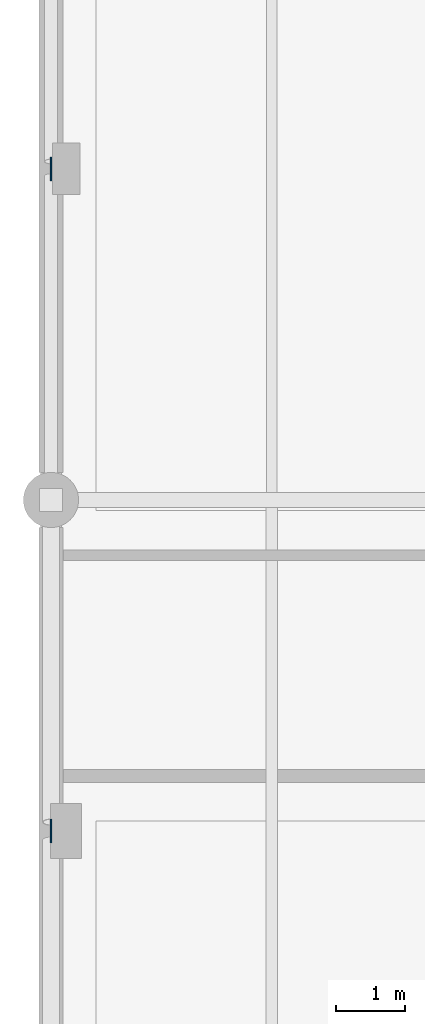
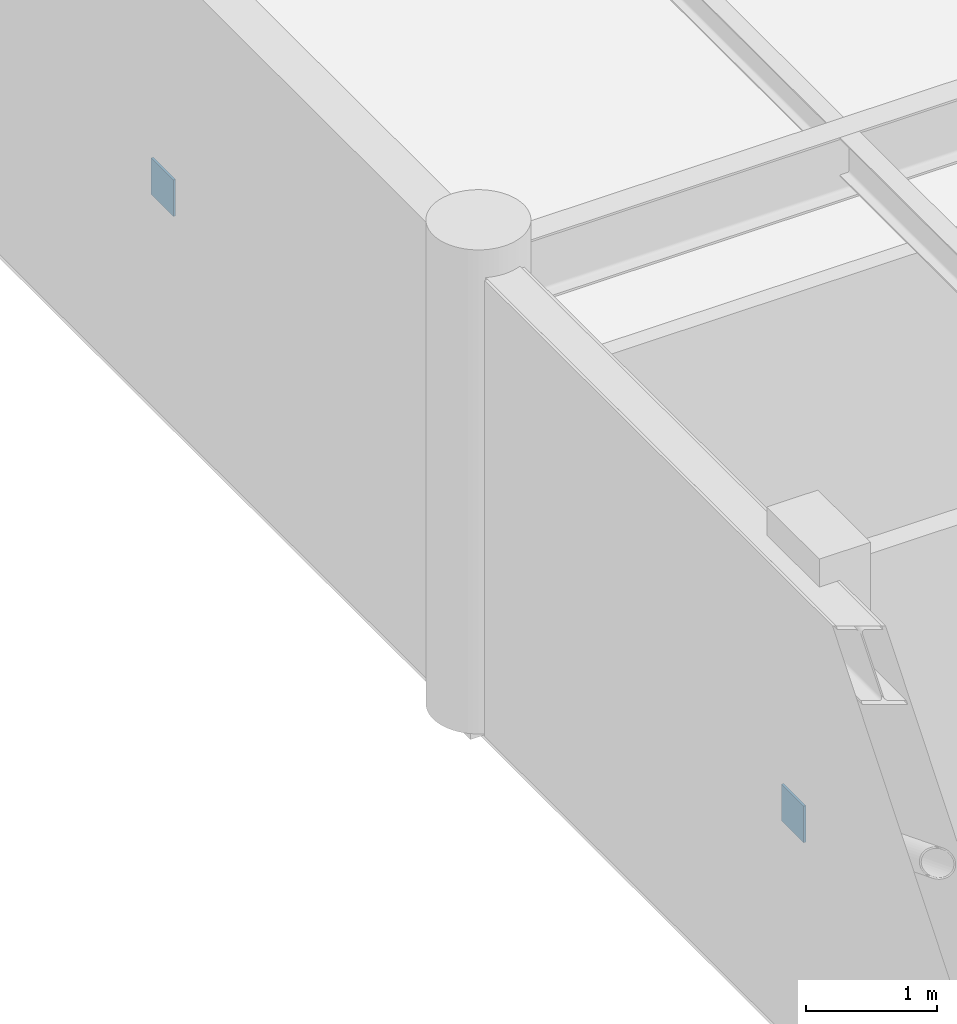
# One storey, part 43 of 61: 2 plates.
"""IFC4 building model written with IfcOpenShell, lengths in metres."""

from ifc_helpers import new_model, si_unit, direction, frame, origin, origin_2d, place, context, subcontext, project, spatial, rectangle, extrude, material, layer, layer_set, type_object, element, save


model = new_model("IFC4")

# Units and contexts
model_context = context("Model", 3, precision=1e-05, world=origin(), true_north=direction((0.0, 1.0)))
body_context = subcontext(model_context, "Body", "Model", "MODEL_VIEW")
ifc_project = project(units=[si_unit("LENGTHUNIT", "METRE"), si_unit("AREAUNIT", "SQUARE_METRE"), si_unit("VOLUMEUNIT", "CUBIC_METRE"), si_unit("PLANEANGLEUNIT", "RADIAN"), si_unit("MASSUNIT", "GRAM", prefix="KILO")], contexts=[model_context])

# Site, building, storey
site_placement = place(None, origin())
site = spatial("IfcSite", under=ifc_project, at=site_placement, CompositionType="ELEMENT")
building_placement = place(site_placement, origin())
building = spatial("IfcBuilding", under=site, at=building_placement, Name="Fikremerkos Civic Library", CompositionType="ELEMENT")
storey_placement = place(building_placement, frame((0.0, 0.0, 14.39990234375)))
storey = spatial("IfcBuildingStorey", under=building, at=storey_placement, Name="L03", CompositionType="ELEMENT", Elevation=14.39990234375)

# Plates
ifc_material = material(Name="Steel S355", Category="steel")
ifc_layer = layer(ifc_material, 0.02001953125, Name="Steel S355")
ifc_layer_set = layer_set([ifc_layer], Name="Steel S355")
plate_type = type_object("IfcPlateType", Name="Steel gusset cap plate GSP-03 340x340x20", PredefinedType="USERDEFINED", material=ifc_layer_set)
for number, where, z_axis, x_axis, name in (
    (1, (0.0, 16.800048828125, 1.72509765625), (0.0, 0.0, 1.0), (1.0, 0.0, 0.0), "Steel gusset cap plate GSP-03 #66"),
    (2, (0.0, 26.39990234375, 1.72509765625), (0.0, 0.0, 1.0), (1.0, 0.0, 0.0), "Steel gusset cap plate GSP-03 #67"),
):
    element("IfcPlate", number, at=place(storey_placement, frame(where, z_axis=z_axis, x_axis=x_axis)), inside=storey, type_object=plate_type, Name=name, ObjectType="GUSSET PLATE", PredefinedType="USERDEFINED", context=body_context, shape_type="SweptSolid", body=[
        extrude(rectangle(XDim=0.02001953125, YDim=0.340087890625, at=origin_2d()), origin(), (0.0, 0.0, 1.0), 0.340087890625),
    ])

save(model, "model.ifc")
